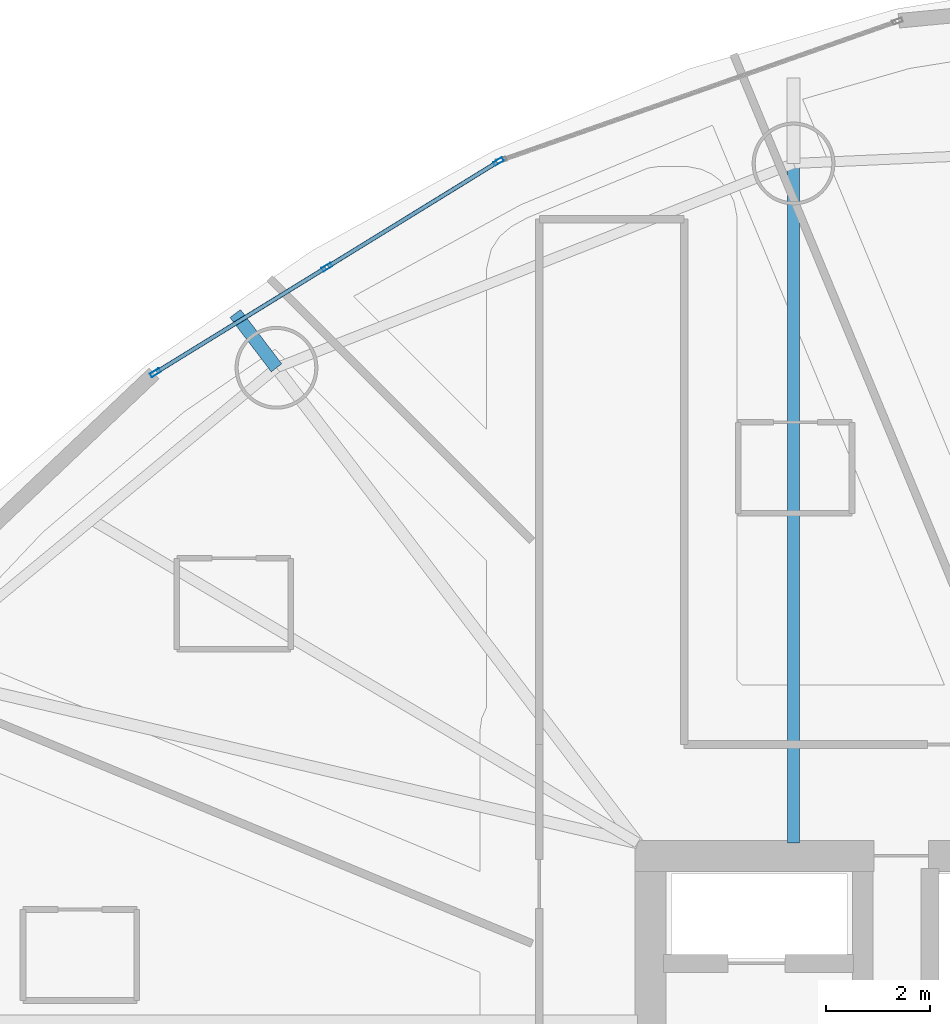
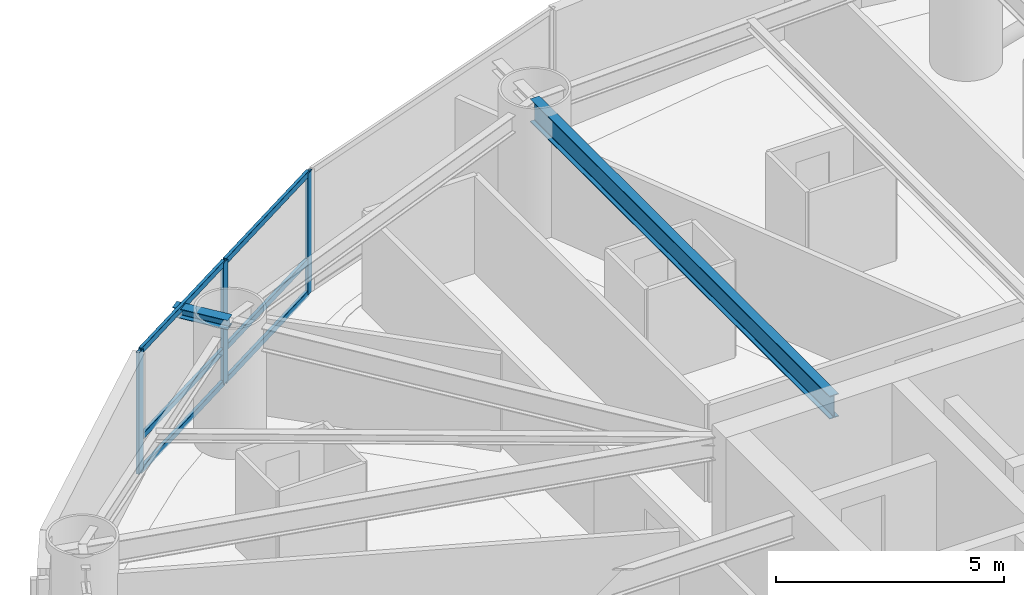
# One storey, part 12 of 27: 9 members, 2 beams, 1 element without a shape of its own.
"""IFC4 building model written with IfcOpenShell, lengths in metres."""

from ifc_helpers import new_model, si_unit, direction, frame, origin, origin_2d, place, context, subcontext, project, spatial, hollow_rectangle, i_section, extrude, material, layer, layer_set, material_profile, profile_set, type_object, element, aggregate, save


model = new_model("IFC4")

# Units and contexts
model_context = context("Model", 3, precision=1e-05, world=origin(), true_north=direction((0.0, 1.0)))
body_context = subcontext(model_context, "Body", "Model", "MODEL_VIEW")
ifc_project = project(units=[si_unit("LENGTHUNIT", "METRE"), si_unit("AREAUNIT", "SQUARE_METRE"), si_unit("VOLUMEUNIT", "CUBIC_METRE"), si_unit("PLANEANGLEUNIT", "RADIAN"), si_unit("MASSUNIT", "GRAM", prefix="KILO")], contexts=[model_context])

# Site, building, storey
site_placement = place(None, origin())
site = spatial("IfcSite", under=ifc_project, at=site_placement, CompositionType="ELEMENT")
building_placement = place(site_placement, origin())
building = spatial("IfcBuilding", under=site, at=building_placement, Name="Bramvorn Convention Spire", CompositionType="ELEMENT")
storey_placement = place(building_placement, frame((0.0, 0.0, 44.89990234375)))
storey = spatial("IfcBuildingStorey", under=building, at=storey_placement, Name="L08", CompositionType="ELEMENT", Elevation=44.89990234375)

# Beams
ifc_material_1 = material(Name="Steel CSA G40.21 Grade 350 (350W)", Category="steel")
ifc_material_profile_1 = material_profile(ifc_material_1, i_section(OverallWidth=0.25390625, OverallDepth=0.2529296875, WebThickness=0.008544921875, FlangeThickness=0.01416015625, FilletRadius=0.011962890625, at=origin_2d()))
ifc_profile_set_1 = profile_set([ifc_material_profile_1], Name="Steel CSA G40.21 Grade 350 (350W) - W250X73")
beam_type_1 = type_object("IfcBeamType", Name="BM-W250X73", PredefinedType="BEAM", material=ifc_profile_set_1)
beam_1_placement = place(storey_placement, frame((19.772216796875, 42.628662109375, 3.12353515625), z_axis=(-0.605210234203, 0.796065683481, 0.0), x_axis=(-0.796065683481, -0.605210234203, 0.0)))
element("IfcBeam", 1, at=beam_1_placement, inside=storey, type_object=beam_type_1, Name="L08 slab-edge cantilever tip beam MC07", PredefinedType="BEAM", context=body_context, shape_type="SweptSolid", body=[
    extrude(i_section(OverallWidth=0.25390625, OverallDepth=0.2529296875, WebThickness=0.008544921875, FlangeThickness=0.01416015625, FilletRadius=0.011962890625, at=origin_2d()), origin(), (0.0, 0.0, 1.0), 1.31640625),
])
ifc_material_profile_2 = material_profile(ifc_material_1, i_section(OverallWidth=0.22998046875, OverallDepth=0.616943359375, WebThickness=0.01318359375, FlangeThickness=0.022216796875, FilletRadius=0.02001953125, at=origin_2d()))
ifc_profile_set_2 = profile_set([ifc_material_profile_2], Name="Steel CSA G40.21 Grade 350 (350W) - W610X140")
beam_type_2 = type_object("IfcBeamType", Name="BM-W610X140", PredefinedType="BEAM", material=ifc_profile_set_2)
beam_2_placement = place(storey_placement, frame((29.76220703125, 33.449951171875, 2.941650390625), z_axis=(0.0, 1.0, 0.0), x_axis=(-1.0, 0.0, 0.0)))
element("IfcBeam", 2, at=beam_2_placement, inside=storey, type_object=beam_type_2, Name="L08 radial floor girder MC06", PredefinedType="BEAM", context=body_context, shape_type="SweptSolid", body=[
    extrude(i_section(OverallWidth=0.22998046875, OverallDepth=0.616943359375, WebThickness=0.01318359375, FlangeThickness=0.022216796875, FilletRadius=0.02001953125, at=origin_2d()), origin(), (0.0, 0.0, 1.0), 13.126708984375),
])

# Curtain wall, members
ifc_material_2 = material(Name="Anodised Bronze Unitised Curtain Wall", Category="aluminium")
ifc_layer = layer(ifc_material_2, 0.179931640625)
ifc_layer_set = layer_set([ifc_layer], Name="Anodised Bronze Unitised Curtain Wall - CW-HTL-FRIT")
curtain_wall_type = type_object("IfcCurtainWallType", Name="CW-HTL-FRIT", PredefinedType="USERDEFINED", material=ifc_layer_set)
curtain_wall_placement = place(storey_placement, origin())
curtain_wall = element("IfcCurtainWall", 3, at=curtain_wall_placement, inside=storey, type_object=curtain_wall_type, Name="L08 fritted glass curtain wall 09", ObjectType="UNITISED CURTAIN WALL", PredefinedType="USERDEFINED")
ifc_material_3 = material(Name="Anodised Bronze Aluminium 6063-T6", Category="aluminium")
ifc_material_profile_3 = material_profile(ifc_material_3, hollow_rectangle(XDim=0.080078125, YDim=0.199951171875, WallThickness=0.00390625, InnerFilletRadius=0.0009765625, OuterFilletRadius=0.00390625, at=origin_2d()))
ifc_profile_set_3 = profile_set([ifc_material_profile_3], Name="Anodised Bronze Aluminium 6063-T6 - CWM80X200")
member_type_1 = type_object("IfcMemberType", Name="CW-MUL-180", PredefinedType="MULLION", material=ifc_profile_set_3)
member_1_placement = place(storey_placement, frame((17.431396484375, 42.53271484375, 0.0), z_axis=(0.0, 0.0, 1.0), x_axis=(-0.52425317319, 0.851562452437, 0.0)))
member_1 = element("IfcMember", 4, at=member_1_placement, type_object=member_type_1, Name="CW2 mullion 1", PredefinedType="MULLION", context=body_context, shape_type="SweptSolid", body=[
    extrude(hollow_rectangle(XDim=0.080078125, YDim=0.199951171875, WallThickness=0.00390625, InnerFilletRadius=0.0009765625, OuterFilletRadius=0.00390625, at=origin_2d()), origin(), (0.0, 0.0, 1.0), 3.25),
])
member_2_placement = place(storey_placement, frame((20.74609375, 44.5732421875, 0.0), z_axis=(0.0, 0.0, 1.0), x_axis=(-0.52425317319, 0.851562452437, 0.0)))
member_2 = element("IfcMember", 5, at=member_2_placement, type_object=member_type_1, Name="CW2 mullion 2", PredefinedType="MULLION", context=body_context, shape_type="SweptSolid", body=[
    extrude(hollow_rectangle(XDim=0.080078125, YDim=0.199951171875, WallThickness=0.00390625, InnerFilletRadius=0.0009765625, OuterFilletRadius=0.00390625, at=origin_2d()), origin(), (0.0, 0.0, 1.0), 3.25),
])
member_3_placement = place(storey_placement, frame((24.060791015625, 46.61376953125, 0.0), z_axis=(0.0, 0.0, 1.0), x_axis=(-0.52425317319, 0.851562452437, 0.0)))
member_3 = element("IfcMember", 6, at=member_3_placement, type_object=member_type_1, Name="CW2 mullion 3", PredefinedType="MULLION", context=body_context, shape_type="SweptSolid", body=[
    extrude(hollow_rectangle(XDim=0.080078125, YDim=0.199951171875, WallThickness=0.00390625, InnerFilletRadius=0.0009765625, OuterFilletRadius=0.00390625, at=origin_2d()), origin(), (0.0, 0.0, 1.0), 3.25),
])
ifc_material_profile_4 = material_profile(ifc_material_3, hollow_rectangle(XDim=0.080078125, YDim=0.159912109375, WallThickness=0.00390625, InnerFilletRadius=0.0009765625, OuterFilletRadius=0.00390625, at=origin_2d()))
ifc_profile_set_4 = profile_set([ifc_material_profile_4], Name="Anodised Bronze Aluminium 6063-T6 - CWT80X160")
member_type_2 = type_object("IfcMemberType", Name="CW-TRN-150", PredefinedType="USERDEFINED", material=ifc_profile_set_4)
member_4_placement = place(storey_placement, frame((17.45703125, 42.54833984375, 0.030029296875), z_axis=(0.851540181717, 0.524289346565, 0.0), x_axis=(-0.524289346565, 0.851540181717, 0.0)))
member_4 = element("IfcMember", 7, at=member_4_placement, type_object=member_type_2, Name="CW2 transom 1.1", ObjectType="TRANSOM", PredefinedType="USERDEFINED", context=body_context, shape_type="SweptSolid", body=[
    extrude(hollow_rectangle(XDim=0.080078125, YDim=0.159912109375, WallThickness=0.00390625, InnerFilletRadius=0.0009765625, OuterFilletRadius=0.00390625, at=origin_2d()), origin(), (0.0, 0.0, 1.0), 3.832275390625),
])
member_5_placement = place(storey_placement, frame((17.45703125, 42.54833984375, 0.900146484375), z_axis=(0.851540181717, 0.524289346565, 0.0), x_axis=(-0.524289346565, 0.851540181717, 0.0)))
member_5 = element("IfcMember", 8, at=member_5_placement, type_object=member_type_2, Name="CW2 transom 1.2", ObjectType="TRANSOM", PredefinedType="USERDEFINED", context=body_context, shape_type="SweptSolid", body=[
    extrude(hollow_rectangle(XDim=0.080078125, YDim=0.159912109375, WallThickness=0.00390625, InnerFilletRadius=0.0009765625, OuterFilletRadius=0.00390625, at=origin_2d()), origin(), (0.0, 0.0, 1.0), 3.832275390625),
])
member_6_placement = place(storey_placement, frame((17.45703125, 42.54833984375, 3.22021484375), z_axis=(0.851540181717, 0.524289346565, 0.0), x_axis=(-0.524289346565, 0.851540181717, 0.0)))
member_6 = element("IfcMember", 9, at=member_6_placement, type_object=member_type_2, Name="CW2 transom 1.3", ObjectType="TRANSOM", PredefinedType="USERDEFINED", context=body_context, shape_type="SweptSolid", body=[
    extrude(hollow_rectangle(XDim=0.080078125, YDim=0.159912109375, WallThickness=0.00390625, InnerFilletRadius=0.0009765625, OuterFilletRadius=0.00390625, at=origin_2d()), origin(), (0.0, 0.0, 1.0), 3.832275390625),
])
member_7_placement = place(storey_placement, frame((20.771728515625, 44.5888671875, 0.030029296875), z_axis=(0.851540181717, 0.524289346565, 0.0), x_axis=(-0.524289346565, 0.851540181717, 0.0)))
member_7 = element("IfcMember", 10, at=member_7_placement, type_object=member_type_2, Name="CW2 transom 2.1", ObjectType="TRANSOM", PredefinedType="USERDEFINED", context=body_context, shape_type="SweptSolid", body=[
    extrude(hollow_rectangle(XDim=0.080078125, YDim=0.159912109375, WallThickness=0.00390625, InnerFilletRadius=0.0009765625, OuterFilletRadius=0.00390625, at=origin_2d()), origin(), (0.0, 0.0, 1.0), 3.832275390625),
])
member_8_placement = place(storey_placement, frame((20.771728515625, 44.5888671875, 0.900146484375), z_axis=(0.851540181717, 0.524289346565, 0.0), x_axis=(-0.524289346565, 0.851540181717, 0.0)))
member_8 = element("IfcMember", 11, at=member_8_placement, type_object=member_type_2, Name="CW2 transom 2.2", ObjectType="TRANSOM", PredefinedType="USERDEFINED", context=body_context, shape_type="SweptSolid", body=[
    extrude(hollow_rectangle(XDim=0.080078125, YDim=0.159912109375, WallThickness=0.00390625, InnerFilletRadius=0.0009765625, OuterFilletRadius=0.00390625, at=origin_2d()), origin(), (0.0, 0.0, 1.0), 3.832275390625),
])
member_9_placement = place(storey_placement, frame((20.771728515625, 44.5888671875, 3.22021484375), z_axis=(0.851540181717, 0.524289346565, 0.0), x_axis=(-0.524289346565, 0.851540181717, 0.0)))
member_9 = element("IfcMember", 12, at=member_9_placement, type_object=member_type_2, Name="CW2 transom 2.3", ObjectType="TRANSOM", PredefinedType="USERDEFINED", context=body_context, shape_type="SweptSolid", body=[
    extrude(hollow_rectangle(XDim=0.080078125, YDim=0.159912109375, WallThickness=0.00390625, InnerFilletRadius=0.0009765625, OuterFilletRadius=0.00390625, at=origin_2d()), origin(), (0.0, 0.0, 1.0), 3.832275390625),
])
aggregate(curtain_wall, [member_1, member_2, member_3, member_4, member_5, member_6, member_7, member_8, member_9])

save(model, "model.ifc")
